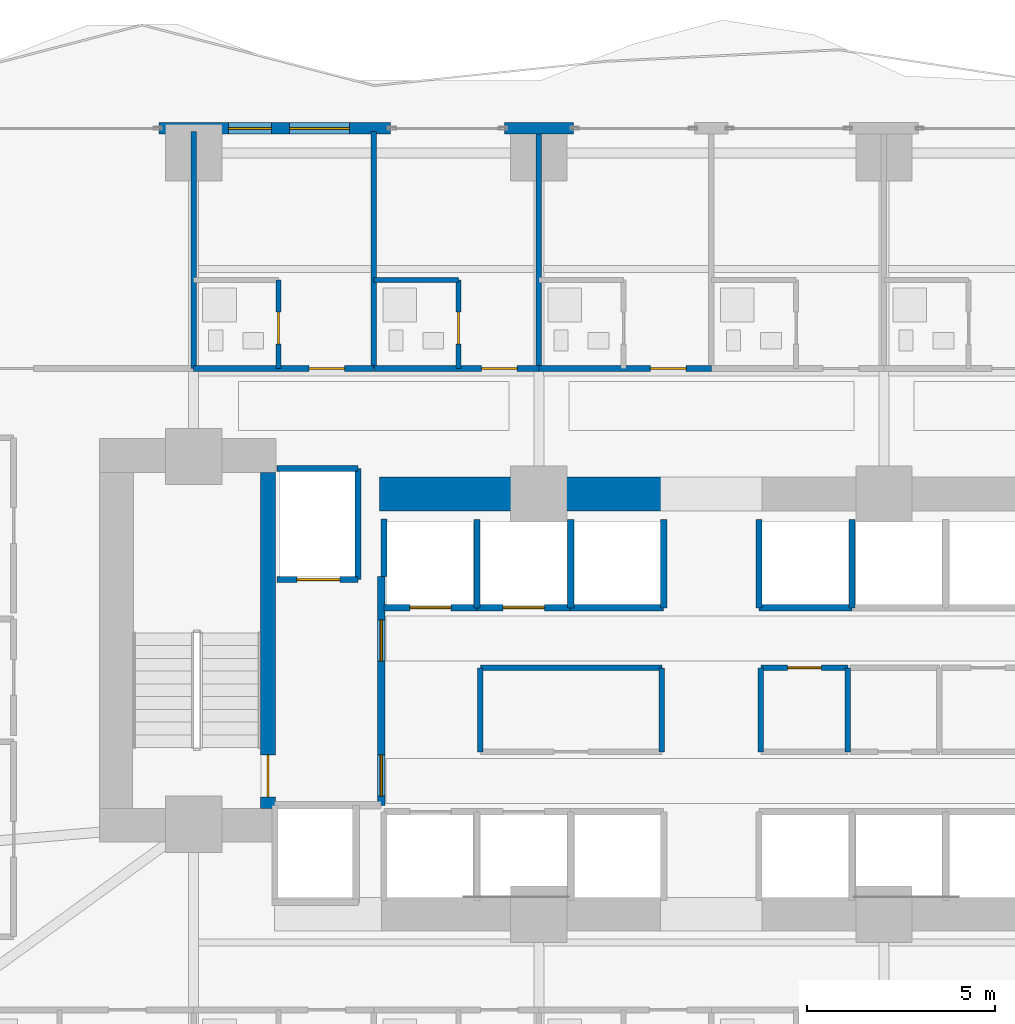
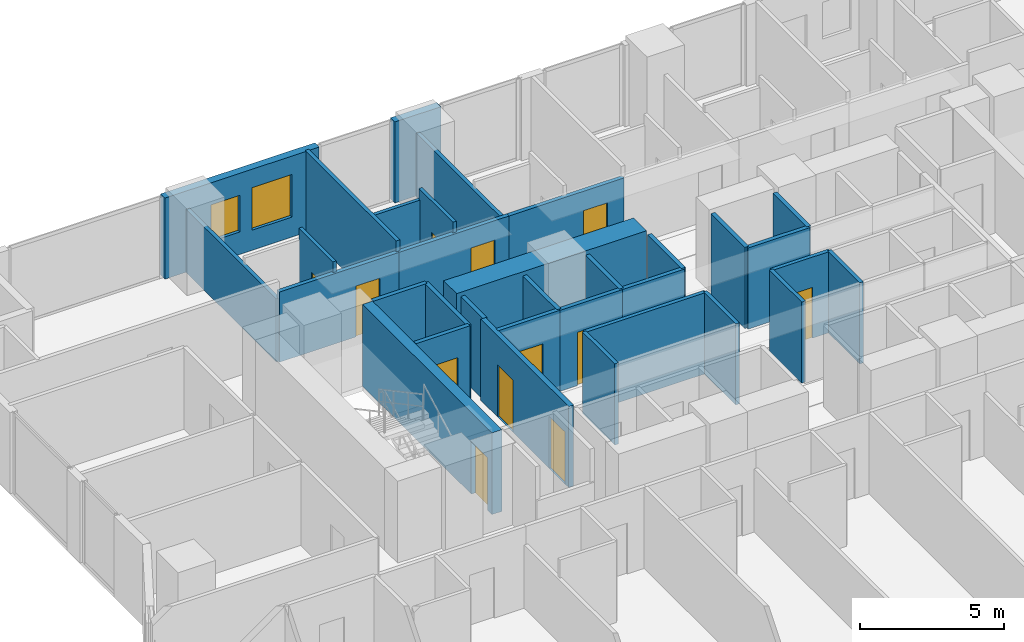
# One storey, part 22 of 29: 33 walls, 12 doors, 2 windows, 14 openings.
"""IFC4 building model written with IfcOpenShell, lengths in metres."""

from ifc_helpers import new_model, si_unit, direction, frame, frame_2d, origin, place, context, subcontext, project, spatial, rectangle, extrude, material, layer, layer_set, type_object, element, fill, save


model = new_model("IFC4")

# Units and contexts
model_context = context("Model", 3, precision=1e-05, world=origin(), true_north=direction((0.0, 1.0)))
body_context = subcontext(model_context, "Body", "Model", "MODEL_VIEW")
ifc_project = project(units=[si_unit("LENGTHUNIT", "METRE"), si_unit("AREAUNIT", "SQUARE_METRE"), si_unit("VOLUMEUNIT", "CUBIC_METRE"), si_unit("PLANEANGLEUNIT", "RADIAN"), si_unit("MASSUNIT", "GRAM", prefix="KILO")], contexts=[model_context])

# Site, building, storey
site_placement = place(None, origin())
site = spatial("IfcSite", under=ifc_project, at=site_placement, CompositionType="ELEMENT")
building_placement = place(site_placement, origin())
building = spatial("IfcBuilding", under=site, at=building_placement, Name="Zuhayl Quay Hotel", CompositionType="ELEMENT")
storey_placement = place(building_placement, frame((0.0, 0.0, 67.75)))
storey = spatial("IfcBuildingStorey", under=building, at=storey_placement, Name="L16", CompositionType="ELEMENT", Elevation=67.75)

# Wall
ifc_material_1 = material(Name="Concrete C70/85", Category="concrete")
ifc_layer_1 = layer(ifc_material_1, 0.89990234375, Name="Concrete C70/85", Category="concrete")
ifc_layer_set_1 = layer_set([ifc_layer_1], Name="Concrete C70/85")
wall_type_1 = type_object("IfcWallType", Name="WL_CORE_900", PredefinedType="SHEAR", material=ifc_layer_set_1)
wall_1_placement = place(storey_placement, frame((-8.85009765625, 13.35009765625, 0.0), z_axis=(0.0, 0.0, 1.0), x_axis=(1.0, 0.0, 0.0)))
element("IfcWall", 1, at=wall_1_placement, inside=storey, type_object=wall_type_1, Name="L16 Core Shear Wall CW_NC_W", PredefinedType="SHEAR", context=body_context, shape_type="SweptSolid", body=[
    extrude(rectangle(XDim=7.60009765625, YDim=0.89990234375, at=frame_2d((3.800048828125, 0.0))), origin(), (0.0, 0.0, 1.0), 3.429931640625),
])

# Wall, openings, windows
ifc_material_2 = material(Name="Precast concrete C45/55", Category="concrete")
ifc_layer_2 = layer(ifc_material_2, 0.300048828125, Name="Precast concrete C45/55", Category="concrete")
ifc_layer_set_2 = layer_set([ifc_layer_2], Name="Precast concrete C45/55")
wall_type_2 = type_object("IfcWallType", Name="WL_EXT_300", PredefinedType="STANDARD", material=ifc_layer_set_2)
wall_2_placement = place(storey_placement, frame((-14.719970703125, 23.10009765625, 0.0), z_axis=(0.0, 0.0, 1.0), x_axis=(1.0, 0.0, 0.0)))
wall_2 = element("IfcWall", 2, at=wall_2_placement, inside=storey, type_object=wall_type_2, Name="L16 Exterior Precast Wall ENV_L16_N_EW2", PredefinedType="STANDARD", context=body_context, shape_type="SweptSolid", body=[
    extrude(rectangle(XDim=6.169921875, YDim=0.300048828125, at=frame_2d((3.0849609375, 0.0))), origin(), (0.0, 0.0, 1.0), 3.429931640625),
])
opening_1_placement = place(wall_2_placement, frame((3.47998046875, 0.0, 0.85009765625)))
opening_1 = element("IfcOpeningElement", 3, at=opening_1_placement, cuts=wall_2, Name="Opening W01", PredefinedType="OPENING", context=body_context, shape_type="SweptSolid", body=[
    extrude(rectangle(XDim=1.60009765625, YDim=1.800048828125, at=frame_2d((0.800048828125, 0.89990234375))), frame((0.0, 0.159912109375, 0.0), z_axis=(0.0, -1.0, 0.0), x_axis=(1.0, 0.0, 0.0)), (0.0, 0.0, 1.0), 0.320068359375),
])
opening_2_placement = place(wall_2_placement, frame((1.85009765625, 0.0, 0.949951171875)))
opening_2 = element("IfcOpeningElement", 4, at=opening_2_placement, cuts=wall_2, Name="Opening W01N", PredefinedType="OPENING", context=body_context, shape_type="SweptSolid", body=[
    extrude(rectangle(XDim=1.14990234375, YDim=1.550048828125, at=frame_2d((0.574951171875, 0.77490234375))), frame((0.0, 0.159912109375, 0.0), z_axis=(0.0, -1.0, 0.0), x_axis=(1.0, 0.0, 0.0)), (0.0, 0.0, 1.0), 0.320068359375),
])
ifc_material_3 = material(Name="Dark Ceramic-Fritted Solar Glass", Category="glass")
window_type_1 = type_object("IfcWindowType", Name="WN_NOTCH_1350", PartitioningType="SINGLE_PANEL", PredefinedType="WINDOW", material=ifc_material_3)
window_1_placement = place(opening_2_placement, origin())
window_1 = element("IfcWindow", 5, at=window_1_placement, inside=storey, type_object=window_type_1, Name="L16 Operable Facade Window 2-1", OverallHeight=1.550048828125, OverallWidth=1.14990234375, PartitioningType="SINGLE_PANEL", PredefinedType="WINDOW", context=body_context, shape_type="SweptSolid", body=[
    extrude(rectangle(XDim=1.14990234375, YDim=1.550048828125, at=frame_2d((0.574951171875, 0.77490234375))), frame((0.0, 0.030029296875, 0.0), z_axis=(0.0, -1.0, 0.0), x_axis=(1.0, 0.0, 0.0)), (0.0, 0.0, 1.0), 0.06005859375),
])
fill(opening_2, window_1)
window_type_2 = type_object("IfcWindowType", Name="WN_OPERABLE_1600", PartitioningType="DOUBLE_PANEL_VERTICAL", PredefinedType="WINDOW", material=ifc_material_3)
window_2_placement = place(opening_1_placement, origin())
window_2 = element("IfcWindow", 6, at=window_2_placement, inside=storey, type_object=window_type_2, Name="L16 North Operable Casement Window", OverallHeight=1.800048828125, OverallWidth=1.60009765625, PartitioningType="SINGLE_PANEL", PredefinedType="WINDOW", context=body_context, shape_type="SweptSolid", body=[
    extrude(rectangle(XDim=1.60009765625, YDim=1.800048828125, at=frame_2d((0.800048828125, 0.89990234375))), frame((0.0, 0.030029296875, 0.0), z_axis=(0.0, -1.0, 0.0), x_axis=(1.0, 0.0, 0.0)), (0.0, 0.0, 1.0), 0.06005859375),
])
fill(opening_1, window_2)

# Wall
wall_3_placement = place(storey_placement, frame((-5.52001953125, 23.10009765625, 0.0), z_axis=(0.0, 0.0, 1.0), x_axis=(1.0, 0.0, 0.0)))
element("IfcWall", 7, at=wall_3_placement, inside=storey, type_object=wall_type_2, Name="L16 Exterior Precast Wall ENV_L16_N_EW3", PredefinedType="STANDARD", context=body_context, shape_type="SweptSolid", body=[
    extrude(rectangle(XDim=1.840087890625, YDim=0.300048828125, at=frame_2d((0.919921875, 0.0))), origin(), (0.0, 0.0, 1.0), 3.429931640625),
])

# Wall, opening, door
ifc_material_4 = material(Name="Acoustic Gypsum Partition STC-58")
ifc_layer_3 = layer(ifc_material_4, 0.14990234375, Name="Acoustic Gypsum Partition STC-58")
ifc_layer_set_3 = layer_set([ifc_layer_3], Name="Acoustic Gypsum Partition STC-58")
wall_type_3 = type_object("IfcWallType", Name="WL_PART_150", PredefinedType="PARTITIONING", material=ifc_layer_set_3)
wall_4_placement = place(storey_placement, frame((1.320068359375, 8.719970703125, 0.0), z_axis=(0.0, 0.0, 1.0), x_axis=(1.0, 0.0, 0.0)))
wall_4 = element("IfcWall", 8, at=wall_4_placement, inside=storey, type_object=wall_type_3, Name="L16 Partition IW_L16_CORE_E1_N", PredefinedType="PARTITIONING", context=body_context, shape_type="SweptSolid", body=[
    extrude(rectangle(XDim=2.31982421875, YDim=0.14990234375, at=frame_2d((1.159912109375, 0.0))), origin(), (0.0, 0.0, 1.0), 3.429931640625),
])
opening_3_placement = place(wall_4_placement, frame((0.7099609375, 0.0, 0.0)))
opening_3 = element("IfcOpeningElement", 9, at=opening_3_placement, cuts=wall_4, Name="Opening D06", PredefinedType="OPENING", context=body_context, shape_type="SweptSolid", body=[
    extrude(rectangle(XDim=0.89990234375, YDim=2.14990234375, at=frame_2d((0.449951171875, 1.074951171875))), frame((0.0, 0.0849609375, 0.0), z_axis=(0.0, -1.0, 0.0), x_axis=(1.0, 0.0, 0.0)), (0.0, 0.0, 1.0), 0.169921875),
])
ifc_material_5 = material(Name="Steel ASTM A992 Grade 50", Category="steel")
door_type_1 = type_object("IfcDoorType", Name="DR_INT_900", OperationType="NOTDEFINED", PredefinedType="DOOR", material=ifc_material_5)
door_1_placement = place(opening_3_placement, origin())
door_1 = element("IfcDoor", 10, at=door_1_placement, inside=storey, type_object=door_type_1, Name="L16 Floor Electrical Closet Door", OperationType="SINGLE_SWING_LEFT", OverallHeight=2.14990234375, OverallWidth=0.89990234375, PredefinedType="DOOR", context=body_context, shape_type="SweptSolid", body=[
    extrude(rectangle(XDim=0.89990234375, YDim=2.14990234375, at=frame_2d((0.449951171875, 1.074951171875))), frame((0.0, 0.02490234375, 0.0), z_axis=(0.0, -1.0, 0.0), x_axis=(1.0, 0.0, 0.0)), (0.0, 0.0, 1.0), 0.050048828125),
])
fill(opening_3, door_1)

# Walls
wall_5_placement = place(storey_placement, frame((-6.159912109375, 8.719970703125, 0.0), z_axis=(0.0, 0.0, 1.0), x_axis=(1.0, 0.0, 0.0)))
element("IfcWall", 11, at=wall_5_placement, inside=storey, type_object=wall_type_3, Name="L16 Partition IW_L16_CORE_SV_N", PredefinedType="PARTITIONING", context=body_context, shape_type="SweptSolid", body=[
    extrude(rectangle(XDim=4.83984375, YDim=0.14990234375, at=frame_2d((2.419921875, 0.0))), origin(), (0.0, 0.0, 1.0), 3.429931640625),
])
for number, where, z_axis, x_axis, name in (
    (12, (-6.159912109375, 6.47998046875, 0.0), (0.0, 0.0, 1.0), (0.0, 1.0, 0.0), "L16 Partition IW_L16_CORE_SV_W"),
    (13, (-1.320068359375, 6.47998046875, 0.0), (0.0, 0.0, 1.0), (0.0, 1.0, 0.0), "L16 Partition IW_L16_CORE_SV_E"),
    (14, (1.320068359375, 6.47998046875, 0.0), (0.0, 0.0, 1.0), (0.0, 1.0, 0.0), "L16 Partition IW_L16_CORE_E1_W"),
    (15, (3.639892578125, 6.47998046875, 0.0), (0.0, 0.0, 1.0), (0.0, 1.0, 0.0), "L16 Partition IW_L16_CORE_E1_E"),
):
    element("IfcWall", number, at=place(storey_placement, frame(where, z_axis=z_axis, x_axis=x_axis)), inside=storey, type_object=wall_type_3, Name=name, PredefinedType="PARTITIONING", context=body_context, shape_type="SweptSolid", body=[
        extrude(rectangle(XDim=2.239990234375, YDim=0.14990234375, at=frame_2d((1.1201171875, 0.0))), origin(), (0.0, 0.0, 1.0), 3.429931640625),
    ])
wall_6_placement = place(storey_placement, frame((-13.800048828125, 16.699951171875, 0.0), z_axis=(0.0, 0.0, 1.0), x_axis=(0.0, 1.0, 0.0)))
element("IfcWall", 16, at=wall_6_placement, inside=storey, type_object=wall_type_3, Name="L16 Partition IW_L16_NU01_E", PredefinedType="PARTITIONING", context=body_context, shape_type="SweptSolid", body=[
    extrude(rectangle(XDim=6.320068359375, YDim=0.14990234375, at=frame_2d((3.16015625, 0.0))), origin(), (0.0, 0.0, 1.0), 2.66796875),
])
wall_7_placement = place(storey_placement, frame((-9.0, 16.699951171875, 0.0), z_axis=(0.0, 0.0, 1.0), x_axis=(0.0, 1.0, 0.0)))
element("IfcWall", 17, at=wall_7_placement, inside=storey, type_object=wall_type_3, Name="L16 Partition IW_L16_NU02_E", PredefinedType="PARTITIONING", context=body_context, shape_type="SweptSolid", body=[
    extrude(rectangle(XDim=6.320068359375, YDim=0.14990234375, at=frame_2d((3.16015625, 0.0))), origin(), (0.0, 0.0, 1.0), 3.429931640625),
])
wall_8_placement = place(storey_placement, frame((-4.60009765625, 16.699951171875, 0.0), z_axis=(0.0, 0.0, 1.0), x_axis=(0.0, 1.0, 0.0)))
element("IfcWall", 18, at=wall_8_placement, inside=storey, type_object=wall_type_3, Name="L16 Partition IW_L16_NU03_E", PredefinedType="PARTITIONING", context=body_context, shape_type="SweptSolid", body=[
    extrude(rectangle(XDim=6.320068359375, YDim=0.14990234375, at=frame_2d((3.16015625, 0.0))), origin(), (0.0, 0.0, 1.0), 2.66796875),
])

# Wall, opening, door
ifc_layer_4 = layer(ifc_material_4, 0.159912109375, Name="Acoustic Gypsum Partition STC-58")
ifc_layer_set_4 = layer_set([ifc_layer_4], Name="Acoustic Gypsum Partition STC-58")
wall_type_4 = type_object("IfcWallType", Name="WL_PART_CORR_160", PredefinedType="PARTITIONING", material=ifc_layer_set_4)
wall_9_placement = place(storey_placement, frame((-13.800048828125, 16.699951171875, 0.0), z_axis=(0.0, 0.0, 1.0), x_axis=(1.0, 0.0, 0.0)))
wall_9 = element("IfcWall", 19, at=wall_9_placement, inside=storey, type_object=wall_type_4, Name="L16 Partition IW_L16_NU02_COR", PredefinedType="PARTITIONING", context=body_context, shape_type="SweptSolid", body=[
    extrude(rectangle(XDim=4.800048828125, YDim=0.159912109375, at=frame_2d((2.39990234375, 0.0))), origin(), (0.0, 0.0, 1.0), 2.972900390625),
])
opening_4_placement = place(wall_9_placement, frame((3.074951171875, 0.0, 0.0)))
opening_4 = element("IfcOpeningElement", 20, at=opening_4_placement, cuts=wall_9, Name="Opening D03", PredefinedType="OPENING", context=body_context, shape_type="SweptSolid", body=[
    extrude(rectangle(XDim=0.949951171875, YDim=2.14990234375, at=frame_2d((0.47509765625, 1.074951171875))), frame((0.0, 0.08984375, 0.0), z_axis=(0.0, -1.0, 0.0), x_axis=(1.0, 0.0, 0.0)), (0.0, 0.0, 1.0), 0.179931640625),
])
ifc_material_6 = material(Name="Solid Walnut Acoustic Fire Door")
door_type_2 = type_object("IfcDoorType", Name="DR_SUITE_950", OperationType="NOTDEFINED", PredefinedType="DOOR", material=ifc_material_6)
door_2_placement = place(opening_4_placement, origin())
door_2 = element("IfcDoor", 21, at=door_2_placement, inside=storey, type_object=door_type_2, Name="L16 Deluxe Gulf Guest Room L16-02 Entrance Door", OperationType="SINGLE_SWING_LEFT", OverallHeight=2.14990234375, OverallWidth=0.949951171875, PredefinedType="DOOR", context=body_context, shape_type="SweptSolid", body=[
    extrude(rectangle(XDim=0.949951171875, YDim=2.14990234375, at=frame_2d((0.47509765625, 1.074951171875))), frame((0.0, 0.02490234375, 0.0), z_axis=(0.0, -1.0, 0.0), x_axis=(1.0, 0.0, 0.0)), (0.0, 0.0, 1.0), 0.050048828125),
])
fill(opening_4, door_2)

wall_10_placement = place(storey_placement, frame((-9.0, 16.699951171875, 0.0), z_axis=(0.0, 0.0, 1.0), x_axis=(1.0, 0.0, 0.0)))
wall_10 = element("IfcWall", 22, at=wall_10_placement, inside=storey, type_object=wall_type_4, Name="L16 Partition IW_L16_NU03_COR", PredefinedType="PARTITIONING", context=body_context, shape_type="SweptSolid", body=[
    extrude(rectangle(XDim=4.39990234375, YDim=0.159912109375, at=frame_2d((2.199951171875, 0.0))), origin(), (0.0, 0.0, 1.0), 2.972900390625),
])
opening_5_placement = place(wall_10_placement, frame((2.875, 0.0, 0.0)))
opening_5 = element("IfcOpeningElement", 23, at=opening_5_placement, cuts=wall_10, Name="Opening D03", PredefinedType="OPENING", context=body_context, shape_type="SweptSolid", body=[
    extrude(rectangle(XDim=0.949951171875, YDim=2.14990234375, at=frame_2d((0.47509765625, 1.074951171875))), frame((0.0, 0.08984375, 0.0), z_axis=(0.0, -1.0, 0.0), x_axis=(1.0, 0.0, 0.0)), (0.0, 0.0, 1.0), 0.179931640625),
])
door_3_placement = place(opening_5_placement, origin())
door_3 = element("IfcDoor", 24, at=door_3_placement, inside=storey, type_object=door_type_2, Name="L16 Deluxe Gulf Guest Room L16-03 Entrance Door", OperationType="SINGLE_SWING_LEFT", OverallHeight=2.14990234375, OverallWidth=0.949951171875, PredefinedType="DOOR", context=body_context, shape_type="SweptSolid", body=[
    extrude(rectangle(XDim=0.949951171875, YDim=2.14990234375, at=frame_2d((0.47509765625, 1.074951171875))), frame((0.0, 0.02490234375, 0.0), z_axis=(0.0, -1.0, 0.0), x_axis=(1.0, 0.0, 0.0)), (0.0, 0.0, 1.0), 0.050048828125),
])
fill(opening_5, door_3)

wall_11_placement = place(storey_placement, frame((-4.60009765625, 16.699951171875, 0.0), z_axis=(0.0, 0.0, 1.0), x_axis=(1.0, 0.0, 0.0)))
wall_11 = element("IfcWall", 25, at=wall_11_placement, inside=storey, type_object=wall_type_4, Name="L16 Partition IW_L16_NU04_COR", PredefinedType="PARTITIONING", context=body_context, shape_type="SweptSolid", body=[
    extrude(rectangle(XDim=4.60009765625, YDim=0.159912109375, at=frame_2d((2.300048828125, 0.0))), origin(), (0.0, 0.0, 1.0), 2.972900390625),
])
opening_6_placement = place(wall_11_placement, frame((2.97509765625, 0.0, 0.0)))
opening_6 = element("IfcOpeningElement", 26, at=opening_6_placement, cuts=wall_11, Name="Opening D03", PredefinedType="OPENING", context=body_context, shape_type="SweptSolid", body=[
    extrude(rectangle(XDim=0.949951171875, YDim=2.14990234375, at=frame_2d((0.47509765625, 1.074951171875))), frame((0.0, 0.08984375, 0.0), z_axis=(0.0, -1.0, 0.0), x_axis=(1.0, 0.0, 0.0)), (0.0, 0.0, 1.0), 0.179931640625),
])
door_4_placement = place(opening_6_placement, origin())
door_4 = element("IfcDoor", 27, at=door_4_placement, inside=storey, type_object=door_type_2, Name="L16 Deluxe Gulf Guest Room L16-04 Entrance Door", OperationType="SINGLE_SWING_LEFT", OverallHeight=2.14990234375, OverallWidth=0.949951171875, PredefinedType="DOOR", context=body_context, shape_type="SweptSolid", body=[
    extrude(rectangle(XDim=0.949951171875, YDim=2.14990234375, at=frame_2d((0.47509765625, 1.074951171875))), frame((0.0, 0.02490234375, 0.0), z_axis=(0.0, -1.0, 0.0), x_axis=(1.0, 0.0, 0.0)), (0.0, 0.0, 1.0), 0.050048828125),
])
fill(opening_6, door_4)

ifc_material_7 = material(Name="Moisture-Resistant Sanitarychase Gypsum")
ifc_layer_5 = layer(ifc_material_7, 0.135009765625, Name="Moisture-Resistant Sanitarychase Gypsum")
ifc_layer_set_5 = layer_set([ifc_layer_5], Name="Moisture-Resistant Sanitarychase Gypsum")
wall_type_5 = type_object("IfcWallType", Name="WL_PART_PLUMB_150", PredefinedType="PLUMBINGWALL", material=ifc_layer_set_5)
wall_12_placement = place(storey_placement, frame((-11.5400390625, 16.699951171875, 0.0), z_axis=(0.0, 0.0, 1.0), x_axis=(0.0, 1.0, 0.0)))
wall_12 = element("IfcWall", 28, at=wall_12_placement, inside=storey, type_object=wall_type_5, Name="L16 Partition IW_L16_NU02_BE", PredefinedType="PLUMBINGWALL", context=body_context, shape_type="SweptSolid", body=[
    extrude(rectangle(XDim=2.360107421875, YDim=0.135009765625, at=frame_2d((1.18017578125, 0.0))), origin(), (0.0, 0.0, 1.0), 3.429931640625),
])
opening_7_placement = place(wall_12_placement, frame((0.64990234375, 0.0, 0.0)))
opening_7 = element("IfcOpeningElement", 29, at=opening_7_placement, cuts=wall_12, Name="Opening D04", PredefinedType="OPENING", context=body_context, shape_type="SweptSolid", body=[
    extrude(rectangle(XDim=0.85009765625, YDim=2.10009765625, at=frame_2d((0.425048828125, 1.050048828125))), frame((0.0, 0.077392578125, 0.0), z_axis=(0.0, -1.0, 0.0), x_axis=(1.0, 0.0, 0.0)), (0.0, 0.0, 1.0), 0.155029296875),
])
ifc_material_8 = material(Name="Moisture-Resistant Walnut Veneer")
door_type_3 = type_object("IfcDoorType", Name="DR_BATH_850", OperationType="NOTDEFINED", PredefinedType="DOOR", material=ifc_material_8)
door_5_placement = place(opening_7_placement, origin())
door_5 = element("IfcDoor", 30, at=door_5_placement, inside=storey, type_object=door_type_3, Name="L16 Deluxe Gulf Guest Room L16-02 En-Suite Door", OperationType="SINGLE_SWING_RIGHT", OverallHeight=2.10009765625, OverallWidth=0.85009765625, PredefinedType="DOOR", context=body_context, shape_type="SweptSolid", body=[
    extrude(rectangle(XDim=0.85009765625, YDim=2.10009765625, at=frame_2d((0.425048828125, 1.050048828125))), frame((0.0, 0.02490234375, 0.0), z_axis=(0.0, -1.0, 0.0), x_axis=(1.0, 0.0, 0.0)), (0.0, 0.0, 1.0), 0.050048828125),
])
fill(opening_7, door_5)

wall_13_placement = place(storey_placement, frame((-6.739990234375, 16.699951171875, 0.0), z_axis=(0.0, 0.0, 1.0), x_axis=(0.0, 1.0, 0.0)))
wall_13 = element("IfcWall", 31, at=wall_13_placement, inside=storey, type_object=wall_type_5, Name="L16 Partition IW_L16_NU03_BE", PredefinedType="PLUMBINGWALL", context=body_context, shape_type="SweptSolid", body=[
    extrude(rectangle(XDim=2.360107421875, YDim=0.135009765625, at=frame_2d((1.18017578125, 0.0))), origin(), (0.0, 0.0, 1.0), 3.429931640625),
])
opening_8_placement = place(wall_13_placement, frame((0.64990234375, 0.0, 0.0)))
opening_8 = element("IfcOpeningElement", 32, at=opening_8_placement, cuts=wall_13, Name="Opening D04", PredefinedType="OPENING", context=body_context, shape_type="SweptSolid", body=[
    extrude(rectangle(XDim=0.85009765625, YDim=2.10009765625, at=frame_2d((0.425048828125, 1.050048828125))), frame((0.0, 0.077392578125, 0.0), z_axis=(0.0, -1.0, 0.0), x_axis=(1.0, 0.0, 0.0)), (0.0, 0.0, 1.0), 0.155029296875),
])
door_6_placement = place(opening_8_placement, origin())
door_6 = element("IfcDoor", 33, at=door_6_placement, inside=storey, type_object=door_type_3, Name="L16 Deluxe Gulf Guest Room L16-03 En-Suite Door", OperationType="SINGLE_SWING_RIGHT", OverallHeight=2.10009765625, OverallWidth=0.85009765625, PredefinedType="DOOR", context=body_context, shape_type="SweptSolid", body=[
    extrude(rectangle(XDim=0.85009765625, YDim=2.10009765625, at=frame_2d((0.425048828125, 1.050048828125))), frame((0.0, 0.02490234375, 0.0), z_axis=(0.0, -1.0, 0.0), x_axis=(1.0, 0.0, 0.0)), (0.0, 0.0, 1.0), 0.050048828125),
])
fill(opening_8, door_6)

# Wall
wall_14_placement = place(storey_placement, frame((-9.0, 19.06005859375, 0.0), z_axis=(0.0, 0.0, 1.0), x_axis=(1.0, 0.0, 0.0)))
element("IfcWall", 34, at=wall_14_placement, inside=storey, type_object=wall_type_5, Name="L16 Partition IW_L16_NU03_BN", PredefinedType="PLUMBINGWALL", context=body_context, shape_type="SweptSolid", body=[
    extrude(rectangle(XDim=2.260009765625, YDim=0.135009765625, at=frame_2d((1.1298828125, 0.0))), origin(), (0.0, 0.0, 1.0), 2.972900390625),
])

# Wall, opening, door
ifc_material_9 = material(Name="Gypsum Fireboard Assembly EI-90")
ifc_layer_6 = layer(ifc_material_9, 0.1650390625, Name="Gypsum Fireboard Assembly EI-90")
ifc_layer_set_6 = layer_set([ifc_layer_6], Name="Gypsum Fireboard Assembly EI-90")
wall_type_6 = type_object("IfcWallType", Name="WL_PART_SHAFT_160", PredefinedType="PARTITIONING", material=ifc_layer_set_6)
wall_15_placement = place(storey_placement, frame((-11.580078125, 11.070068359375, 0.0), z_axis=(0.0, 0.0, 1.0), x_axis=(1.0, 0.0, 0.0)))
wall_15 = element("IfcWall", 35, at=wall_15_placement, inside=storey, type_object=wall_type_6, Name="L16 Partition IW_L16_SH_FL1_F", PredefinedType="PARTITIONING", context=body_context, shape_type="SweptSolid", body=[
    extrude(rectangle(XDim=2.16015625, YDim=0.1650390625, at=frame_2d((1.080078125, 0.0))), origin(), (0.0, 0.0, 1.0), 3.429931640625),
])
opening_9_placement = place(wall_15_placement, frame((0.530029296875, 0.0, 0.0)))
opening_9 = element("IfcOpeningElement", 36, at=opening_9_placement, cuts=wall_15, Name="Opening LD2", PredefinedType="OPENING", context=body_context, shape_type="SweptSolid", body=[
    extrude(rectangle(XDim=1.14990234375, YDim=2.25, at=frame_2d((0.574951171875, 1.125))), frame((0.0, 0.092529296875, 0.0), z_axis=(0.0, -1.0, 0.0), x_axis=(1.0, 0.0, 0.0)), (0.0, 0.0, 1.0), 0.18505859375),
])
ifc_material_10 = material(Name="Brushed Stainless Steel", Category="steel")
door_type_4 = type_object("IfcDoorType", Name="DR_LIFT_FF_1100", OperationType="SLIDING_TO_LEFT", PredefinedType="DOOR", material=ifc_material_10)
door_7_placement = place(opening_9_placement, origin())
door_7 = element("IfcDoor", 37, at=door_7_placement, inside=storey, type_object=door_type_4, Name="L16 Lift FL1 Sliding Landing Door", OperationType="SLIDING_TO_LEFT", OverallHeight=2.25, OverallWidth=1.14990234375, PredefinedType="DOOR", context=body_context, shape_type="SweptSolid", body=[
    extrude(rectangle(XDim=1.14990234375, YDim=2.25, at=frame_2d((0.574951171875, 1.125))), frame((0.0, 0.02490234375, 0.0), z_axis=(0.0, -1.0, 0.0), x_axis=(1.0, 0.0, 0.0)), (0.0, 0.0, 1.0), 0.050048828125),
])
fill(opening_9, door_7)

wall_16_placement = place(storey_placement, frame((-8.72998046875, 10.320068359375, 0.0), z_axis=(0.0, 0.0, 1.0), x_axis=(1.0, 0.0, 0.0)))
wall_16 = element("IfcWall", 38, at=wall_16_placement, inside=storey, type_object=wall_type_6, Name="L16 Partition IW_L16_SH_LP3_F", PredefinedType="PARTITIONING", context=body_context, shape_type="SweptSolid", body=[
    extrude(rectangle(XDim=2.47998046875, YDim=0.1650390625, at=frame_2d((1.239990234375, 0.0))), origin(), (0.0, 0.0, 1.0), 3.429931640625),
])
opening_10_placement = place(wall_16_placement, frame((0.68994140625, 0.0, 0.0)))
opening_10 = element("IfcOpeningElement", 39, at=opening_10_placement, cuts=wall_16, Name="Opening LD1", PredefinedType="OPENING", context=body_context, shape_type="SweptSolid", body=[
    extrude(rectangle(XDim=1.10009765625, YDim=2.25, at=frame_2d((0.550048828125, 1.125))), frame((0.0, 0.092529296875, 0.0), z_axis=(0.0, -1.0, 0.0), x_axis=(1.0, 0.0, 0.0)), (0.0, 0.0, 1.0), 0.18505859375),
])
door_type_5 = type_object("IfcDoorType", Name="DR_LIFT_PASS_1100", OperationType="SLIDING_TO_LEFT", PredefinedType="DOOR", material=ifc_material_10)
door_8_placement = place(opening_10_placement, origin())
door_8 = element("IfcDoor", 40, at=door_8_placement, inside=storey, type_object=door_type_5, Name="L16 Lift LP3 Sliding Landing Door", OperationType="SLIDING_TO_LEFT", OverallHeight=2.25, OverallWidth=1.10009765625, PredefinedType="DOOR", context=body_context, shape_type="SweptSolid", body=[
    extrude(rectangle(XDim=1.10009765625, YDim=2.25, at=frame_2d((0.550048828125, 1.125))), frame((0.0, 0.02490234375, 0.0), z_axis=(0.0, -1.0, 0.0), x_axis=(1.0, 0.0, 0.0)), (0.0, 0.0, 1.0), 0.050048828125),
])
fill(opening_10, door_8)

wall_17_placement = place(storey_placement, frame((-6.25, 10.320068359375, 0.0), z_axis=(0.0, 0.0, 1.0), x_axis=(1.0, 0.0, 0.0)))
wall_17 = element("IfcWall", 41, at=wall_17_placement, inside=storey, type_object=wall_type_6, Name="L16 Partition IW_L16_SH_LP4_F", PredefinedType="PARTITIONING", context=body_context, shape_type="SweptSolid", body=[
    extrude(rectangle(XDim=2.5, YDim=0.1650390625, at=frame_2d((1.25, 0.0))), origin(), (0.0, 0.0, 1.0), 3.429931640625),
])
opening_11_placement = place(wall_17_placement, frame((0.699951171875, 0.0, 0.0)))
opening_11 = element("IfcOpeningElement", 42, at=opening_11_placement, cuts=wall_17, Name="Opening LD1", PredefinedType="OPENING", context=body_context, shape_type="SweptSolid", body=[
    extrude(rectangle(XDim=1.10009765625, YDim=2.25, at=frame_2d((0.550048828125, 1.125))), frame((0.0, 0.092529296875, 0.0), z_axis=(0.0, -1.0, 0.0), x_axis=(1.0, 0.0, 0.0)), (0.0, 0.0, 1.0), 0.18505859375),
])
door_9_placement = place(opening_11_placement, origin())
door_9 = element("IfcDoor", 43, at=door_9_placement, inside=storey, type_object=door_type_5, Name="L16 Lift LP4 Sliding Landing Door", OperationType="SLIDING_TO_LEFT", OverallHeight=2.25, OverallWidth=1.10009765625, PredefinedType="DOOR", context=body_context, shape_type="SweptSolid", body=[
    extrude(rectangle(XDim=1.10009765625, YDim=2.25, at=frame_2d((0.550048828125, 1.125))), frame((0.0, 0.02490234375, 0.0), z_axis=(0.0, -1.0, 0.0), x_axis=(1.0, 0.0, 0.0)), (0.0, 0.0, 1.0), 0.050048828125),
])
fill(opening_11, door_9)

# Walls
wall_18_placement = place(storey_placement, frame((-9.419921875, 11.070068359375, 0.0), z_axis=(0.0, 0.0, 1.0), x_axis=(0.0, 1.0, 0.0)))
element("IfcWall", 44, at=wall_18_placement, inside=storey, type_object=wall_type_6, Name="L16 Partition IW_L16_SH_FL1_E", PredefinedType="PARTITIONING", context=body_context, shape_type="SweptSolid", body=[
    extrude(rectangle(XDim=2.9599609375, YDim=0.1650390625, at=frame_2d((1.47998046875, 0.0))), origin(), (0.0, 0.0, 1.0), 3.429931640625),
])
wall_19_placement = place(storey_placement, frame((-11.580078125, 14.030029296875, 0.0), z_axis=(0.0, 0.0, 1.0), x_axis=(1.0, 0.0, 0.0)))
element("IfcWall", 45, at=wall_19_placement, inside=storey, type_object=wall_type_6, Name="L16 Partition IW_L16_SH_FL1_B", PredefinedType="PARTITIONING", context=body_context, shape_type="SweptSolid", body=[
    extrude(rectangle(XDim=2.16015625, YDim=0.1650390625, at=frame_2d((1.080078125, 0.0))), origin(), (0.0, 0.0, 1.0), 3.429931640625),
])
wall_20_placement = place(storey_placement, frame((-8.72998046875, 11.14990234375, 0.0), z_axis=(0.0, 0.0, 1.0), x_axis=(0.0, 1.0, 0.0)))
element("IfcWall", 46, at=wall_20_placement, inside=storey, type_object=wall_type_6, Name="L16 Partition IW_L16_SH_LP3_W", PredefinedType="PARTITIONING", context=body_context, shape_type="SweptSolid", body=[
    extrude(rectangle(XDim=1.530029296875, YDim=0.1650390625, at=frame_2d((0.76513671875, 0.0))), origin(), (0.0, 0.0, 1.0), 3.429931640625),
])
for number, where, z_axis, x_axis, name in (
    (47, (-6.25, 10.320068359375, 0.0), (0.0, 0.0, 1.0), (0.0, 1.0, 0.0), "L16 Partition IW_L16_SH_LP3_E"),
    (48, (-3.75, 10.320068359375, 0.0), (0.0, 0.0, 1.0), (0.0, 1.0, 0.0), "L16 Partition IW_L16_SH_LP4_E"),
):
    element("IfcWall", number, at=place(storey_placement, frame(where, z_axis=z_axis, x_axis=x_axis)), inside=storey, type_object=wall_type_6, Name=name, PredefinedType="PARTITIONING", context=body_context, shape_type="SweptSolid", body=[
        extrude(rectangle(XDim=2.35986328125, YDim=0.1650390625, at=frame_2d((1.179931640625, 0.0))), origin(), (0.0, 0.0, 1.0), 3.429931640625),
    ])
wall_21_placement = place(storey_placement, frame((-3.75, 10.320068359375, 0.0), z_axis=(0.0, 0.0, 1.0), x_axis=(1.0, 0.0, 0.0)))
element("IfcWall", 49, at=wall_21_placement, inside=storey, type_object=wall_type_6, Name="L16 Partition IW_L16_SH_MP3_F", PredefinedType="PARTITIONING", context=body_context, shape_type="SweptSolid", body=[
    extrude(rectangle(XDim=2.47998046875, YDim=0.1650390625, at=frame_2d((1.239990234375, 0.0))), origin(), (0.0, 0.0, 1.0), 3.429931640625),
])
wall_22_placement = place(storey_placement, frame((-1.27001953125, 10.320068359375, 0.0), z_axis=(0.0, 0.0, 1.0), x_axis=(0.0, 1.0, 0.0)))
element("IfcWall", 50, at=wall_22_placement, inside=storey, type_object=wall_type_6, Name="L16 Partition IW_L16_SH_MP3_E", PredefinedType="PARTITIONING", context=body_context, shape_type="SweptSolid", body=[
    extrude(rectangle(XDim=2.35986328125, YDim=0.1650390625, at=frame_2d((1.179931640625, 0.0))), origin(), (0.0, 0.0, 1.0), 3.429931640625),
])
wall_23_placement = place(storey_placement, frame((1.27001953125, 10.320068359375, 0.0), z_axis=(0.0, 0.0, 1.0), x_axis=(1.0, 0.0, 0.0)))
element("IfcWall", 51, at=wall_23_placement, inside=storey, type_object=wall_type_6, Name="L16 Partition IW_L16_SH_MP4_F", PredefinedType="PARTITIONING", context=body_context, shape_type="SweptSolid", body=[
    extrude(rectangle(XDim=2.47998046875, YDim=0.1650390625, at=frame_2d((1.239990234375, 0.0))), origin(), (0.0, 0.0, 1.0), 3.429931640625),
])
for number, where, z_axis, x_axis, name in (
    (52, (1.27001953125, 10.320068359375, 0.0), (0.0, 0.0, 1.0), (0.0, 1.0, 0.0), "L16 Partition IW_L16_SH_MP4_W"),
    (53, (3.75, 10.320068359375, 0.0), (0.0, 0.0, 1.0), (0.0, 1.0, 0.0), "L16 Partition IW_L16_SH_MP4_E"),
):
    element("IfcWall", number, at=place(storey_placement, frame(where, z_axis=z_axis, x_axis=x_axis)), inside=storey, type_object=wall_type_6, Name=name, PredefinedType="PARTITIONING", context=body_context, shape_type="SweptSolid", body=[
        extrude(rectangle(XDim=2.35986328125, YDim=0.1650390625, at=frame_2d((1.179931640625, 0.0))), origin(), (0.0, 0.0, 1.0), 3.429931640625),
    ])

# Wall, openings, doors
ifc_material_11 = material(Name="Gypsum Fireboard Assembly EI-120")
ifc_layer_7 = layer(ifc_material_11, 0.199951171875, Name="Gypsum Fireboard Assembly EI-120")
ifc_layer_set_7 = layer_set([ifc_layer_7], Name="Gypsum Fireboard Assembly EI-120")
wall_type_7 = type_object("IfcWallType", Name="WL_PART_SHAFT_200", PredefinedType="PARTITIONING", material=ifc_layer_set_7)
wall_24_placement = place(storey_placement, frame((-8.800048828125, 5.050048828125, 0.0), z_axis=(0.0, 0.0, 1.0), x_axis=(0.0, 1.0, 0.0)))
wall_24 = element("IfcWall", 54, at=wall_24_placement, inside=storey, type_object=wall_type_7, Name="L16 Partition IW_L16_FSAE_W_E", PredefinedType="PARTITIONING", context=body_context, shape_type="SweptSolid", body=[
    extrude(rectangle(XDim=6.099853515625, YDim=0.199951171875, at=frame_2d((3.0498046875, 0.0))), origin(), (0.0, 0.0, 1.0), 3.429931640625),
])
opening_12_placement = place(wall_24_placement, frame((0.25, 0.0, 0.0)))
opening_12 = element("IfcOpeningElement", 55, at=opening_12_placement, cuts=wall_24, Name="Opening D02", PredefinedType="OPENING", context=body_context, shape_type="SweptSolid", body=[
    extrude(rectangle(XDim=1.10009765625, YDim=2.199951171875, at=frame_2d((0.550048828125, 1.10009765625))), frame((0.0, 0.10986328125, 0.0), z_axis=(0.0, -1.0, 0.0), x_axis=(1.0, 0.0, 0.0)), (0.0, 0.0, 1.0), 0.219970703125),
])
opening_13_placement = place(wall_24_placement, frame((3.85009765625, 0.0, 0.0)))
opening_13 = element("IfcOpeningElement", 56, at=opening_13_placement, cuts=wall_24, Name="Opening D02", PredefinedType="OPENING", context=body_context, shape_type="SweptSolid", body=[
    extrude(rectangle(XDim=1.10009765625, YDim=2.199951171875, at=frame_2d((0.550048828125, 1.10009765625))), frame((0.0, 0.10986328125, 0.0), z_axis=(0.0, -1.0, 0.0), x_axis=(1.0, 0.0, 0.0)), (0.0, 0.0, 1.0), 0.219970703125),
])
door_type_6 = type_object("IfcDoorType", Name="DR_FIRE_90_1100", OperationType="NOTDEFINED", PredefinedType="DOOR", material=ifc_material_5)
door_10_placement = place(opening_12_placement, origin())
door_10 = element("IfcDoor", 57, at=door_10_placement, inside=storey, type_object=door_type_6, Name="L16 FSAE Lobby West South Entry Door", OperationType="SINGLE_SWING_RIGHT", OverallHeight=2.199951171875, OverallWidth=1.10009765625, PredefinedType="DOOR", context=body_context, shape_type="SweptSolid", body=[
    extrude(rectangle(XDim=1.10009765625, YDim=2.199951171875, at=frame_2d((0.550048828125, 1.10009765625))), frame((0.0, 0.02490234375, 0.0), z_axis=(0.0, -1.0, 0.0), x_axis=(1.0, 0.0, 0.0)), (0.0, 0.0, 1.0), 0.050048828125),
])
fill(opening_12, door_10)
door_11_placement = place(opening_13_placement, origin())
door_11 = element("IfcDoor", 58, at=door_11_placement, inside=storey, type_object=door_type_6, Name="L16 FSAE Lobby West North Entry Door", OperationType="SINGLE_SWING_LEFT", OverallHeight=2.199951171875, OverallWidth=1.10009765625, PredefinedType="DOOR", context=body_context, shape_type="SweptSolid", body=[
    extrude(rectangle(XDim=1.10009765625, YDim=2.199951171875, at=frame_2d((0.550048828125, 1.10009765625))), frame((0.0, 0.02490234375, 0.0), z_axis=(0.0, -1.0, 0.0), x_axis=(1.0, 0.0, 0.0)), (0.0, 0.0, 1.0), 0.050048828125),
])
fill(opening_13, door_11)

# Wall, opening, door
ifc_material_12 = material(Name="Concrete C60/75", Category="concrete")
ifc_layer_8 = layer(ifc_material_12, 0.39990234375, Name="Concrete C60/75", Category="concrete")
ifc_layer_set_8 = layer_set([ifc_layer_8], Name="Concrete C60/75")
wall_type_8 = type_object("IfcWallType", Name="WL_STAIR_400", PredefinedType="SHEAR", material=ifc_layer_set_8)
wall_25_placement = place(storey_placement, frame((-11.820068359375, 4.969970703125, 0.0), z_axis=(0.0, 0.0, 1.0), x_axis=(0.0, 1.0, 0.0)))
wall_25 = element("IfcWall", 59, at=wall_25_placement, inside=storey, type_object=wall_type_8, Name="L16 Core Shear Wall SW_ST1", PredefinedType="SHEAR", context=body_context, shape_type="SweptSolid", body=[
    extrude(rectangle(XDim=8.9599609375, YDim=0.39990234375, at=frame_2d((4.47998046875, 0.0))), origin(), (0.0, 0.0, 1.0), 3.4599609375),
])
opening_14_placement = place(wall_25_placement, frame((0.31005859375, 0.0, 0.0)))
opening_14 = element("IfcOpeningElement", 60, at=opening_14_placement, cuts=wall_25, Name="Opening D01", PredefinedType="OPENING", context=body_context, shape_type="SweptSolid", body=[
    extrude(rectangle(XDim=1.1201171875, YDim=2.219970703125, at=frame_2d((0.56005859375, 1.10986328125))), frame((0.0, 0.2099609375, 0.0), z_axis=(0.0, -1.0, 0.0), x_axis=(1.0, 0.0, 0.0)), (0.0, 0.0, 1.0), 0.419921875),
])
door_type_7 = type_object("IfcDoorType", Name="DR_STAIR_90_1100", OperationType="NOTDEFINED", PredefinedType="DOOR", material=ifc_material_5)
door_12_placement = place(opening_14_placement, origin())
door_12 = element("IfcDoor", 61, at=door_12_placement, inside=storey, type_object=door_type_7, Name="L16 Smokeproof Exit Stair ST1 Door", OperationType="SINGLE_SWING_LEFT", OverallHeight=2.219970703125, OverallWidth=1.1201171875, PredefinedType="DOOR", context=body_context, shape_type="SweptSolid", body=[
    extrude(rectangle(XDim=1.1201171875, YDim=2.219970703125, at=frame_2d((0.56005859375, 1.10986328125))), frame((0.0, 0.02490234375, 0.0), z_axis=(0.0, -1.0, 0.0), x_axis=(1.0, 0.0, 0.0)), (0.0, 0.0, 1.0), 0.050048828125),
])
fill(opening_14, door_12)

save(model, "model.ifc")
